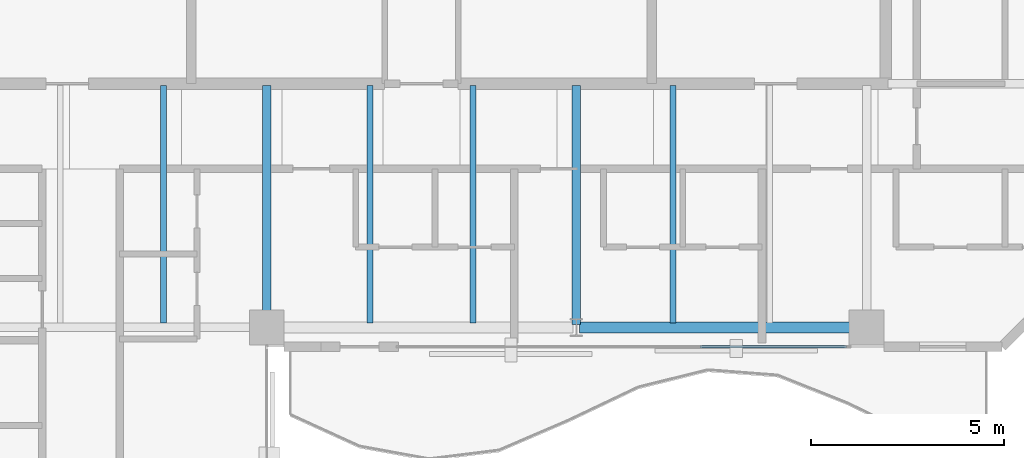
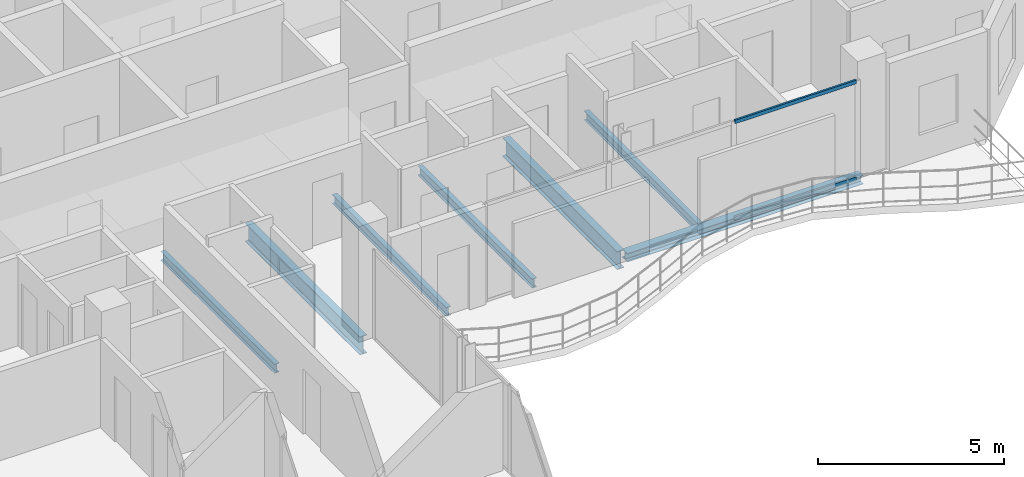
# One storey, part 13 of 24: 7 beams, 2 members, 1 element without a shape of its own.
"""IFC4 building model written with IfcOpenShell, lengths in metres."""

from ifc_helpers import new_model, si_unit, direction, frame, origin, origin_2d, place, context, subcontext, project, spatial, hollow_rectangle, i_section, extrude, material, layer, layer_set, material_profile, profile_set, type_object, element, aggregate, save


model = new_model("IFC4")

# Units and contexts
model_context = context("Model", 3, precision=1e-05, world=origin(), true_north=direction((0.0, 1.0)))
body_context = subcontext(model_context, "Body", "Model", "MODEL_VIEW")
ifc_project = project(units=[si_unit("LENGTHUNIT", "METRE"), si_unit("AREAUNIT", "SQUARE_METRE"), si_unit("VOLUMEUNIT", "CUBIC_METRE"), si_unit("PLANEANGLEUNIT", "RADIAN"), si_unit("MASSUNIT", "GRAM", prefix="KILO")], contexts=[model_context])

# Site, building, storey
site_placement = place(None, origin())
site = spatial("IfcSite", under=ifc_project, at=site_placement, CompositionType="ELEMENT")
building_placement = place(site_placement, origin())
building = spatial("IfcBuilding", under=site, at=building_placement, Name="Catumbela Crestline Tower", CompositionType="ELEMENT")
storey_placement = place(building_placement, frame((0.0, 0.0, 237.4)))
storey = spatial("IfcBuildingStorey", under=building, at=storey_placement, Name="L61", CompositionType="ELEMENT", Elevation=237.4)

# Beams
ifc_material_1 = material(Name="Structural steel S355J2", Category="steel")
ifc_material_profile_1 = material_profile(ifc_material_1, i_section(OverallWidth=0.22, OverallDepth=0.6, WebThickness=0.012, FlangeThickness=0.019, FilletRadius=0.024, at=origin_2d()), Name="IPE 600")
ifc_profile_set_1 = profile_set([ifc_material_profile_1], Name="Structural steel S355J2")
beam_type_1 = type_object("IfcBeamType", Name="BG-IPE600", PredefinedType="BEAM", material=ifc_profile_set_1)
for number, where, z_axis, x_axis, name in (
    (1, (24.0, 24.58, -0.56), (0.0, 1.0, 0.0), (-1.0, 0.0, 0.0), "L61 Beam BM-L61-SNS16"),
    (2, (32.0, 24.58, -0.56), (0.0, 1.0, 0.0), (-1.0, 0.0, 0.0), "L61 Beam BM-L61-SNS17"),
):
    element("IfcBeam", number, at=place(storey_placement, frame(where, z_axis=z_axis, x_axis=x_axis)), inside=storey, type_object=beam_type_1, Name=name, PredefinedType="BEAM", context=body_context, shape_type="SweptSolid", body=[
        extrude(i_section(OverallWidth=0.22, OverallDepth=0.6, WebThickness=0.012, FlangeThickness=0.019, FilletRadius=0.024, at=origin_2d()), origin(), (0.0, 0.0, 1.0), 6.17),
    ])
ifc_material_profile_2 = material_profile(ifc_material_1, i_section(OverallWidth=0.15, OverallDepth=0.3, WebThickness=0.0071, FlangeThickness=0.0107, FilletRadius=0.015, at=origin_2d()), Name="IPE 300")
ifc_profile_set_2 = profile_set([ifc_material_profile_2], Name="Structural steel S355J2")
beam_type_2 = type_object("IfcBeamType", Name="BJ-IPE300", PredefinedType="JOIST", material=ifc_profile_set_2)
for number, where, z_axis, x_axis, name in (
    (3, (21.333, 24.61, -0.41), (0.0, 1.0, 0.0), (-1.0, 0.0, 0.0), "L61 Joist JS-L61-SP22"),
    (4, (26.667, 24.61, -0.41), (0.0, 1.0, 0.0), (-1.0, 0.0, 0.0), "L61 Joist JS-L61-SP23"),
    (5, (29.333, 24.61, -0.41), (0.0, 1.0, 0.0), (-1.0, 0.0, 0.0), "L61 Joist JS-L61-SP24"),
    (6, (34.5, 24.61, -0.41), (0.0, 1.0, 0.0), (-1.0, 0.0, 0.0), "L61 Joist JS-L61-SP25"),
):
    element("IfcBeam", number, at=place(storey_placement, frame(where, z_axis=z_axis, x_axis=x_axis)), inside=storey, type_object=beam_type_2, Name=name, PredefinedType="JOIST", context=body_context, shape_type="SweptSolid", body=[
        extrude(i_section(OverallWidth=0.15, OverallDepth=0.3, WebThickness=0.0071, FlangeThickness=0.0107, FilletRadius=0.015, at=origin_2d()), origin(), (0.0, 0.0, 1.0), 6.14),
    ])
ifc_material_profile_3 = material_profile(ifc_material_1, i_section(OverallWidth=0.28, OverallDepth=0.28, WebThickness=0.0105, FlangeThickness=0.018, FilletRadius=0.024, at=origin_2d()), Name="HEB 280")
ifc_profile_set_3 = profile_set([ifc_material_profile_3], Name="Structural steel S355J2")
beam_type_3 = type_object("IfcBeamType", Name="BS-HEB280", PredefinedType="SPANDREL", material=ifc_profile_set_3)
beam_placement = place(storey_placement, frame((32.08, 24.5, -0.4), z_axis=(1.0, 0.0, 0.0), x_axis=(0.0, 1.0, 0.0)))
element("IfcBeam", 7, at=beam_placement, inside=storey, type_object=beam_type_3, Name="L61 Spandrel SP-L61-S05", PredefinedType="SPANDREL", context=body_context, shape_type="SweptSolid", body=[
    extrude(i_section(OverallWidth=0.28, OverallDepth=0.28, WebThickness=0.0105, FlangeThickness=0.018, FilletRadius=0.024, at=origin_2d()), origin(), (0.0, 0.0, 1.0), 7.34),
])

# Curtain wall, members
ifc_material_2 = material(Name="Aluminium alloy AW-6060-T66", Category="aluminium")
ifc_layer = layer(ifc_material_2, 0.18, Name="Aluminium alloy AW-6060-T66")
ifc_layer_set = layer_set([ifc_layer], Name="Aluminium alloy AW-6060-T66")
curtain_wall_type = type_object("IfcCurtainWallType", Name="CWU-Z4", PredefinedType="USERDEFINED", material=ifc_layer_set)
curtain_wall_placement = place(storey_placement, origin())
curtain_wall = element("IfcCurtainWall", 8, at=curtain_wall_placement, inside=storey, type_object=curtain_wall_type, Name="L61 Unitised Curtain Wall CW-L61-E3S2", ObjectType="UNITISED", PredefinedType="USERDEFINED")
ifc_material_profile_4 = material_profile(ifc_material_2, hollow_rectangle(XDim=0.06, YDim=0.12, WallThickness=0.0035, at=origin_2d()), Name="ALU 120x60x3.5")
ifc_profile_set_4 = profile_set([ifc_material_profile_4], Name="Aluminium alloy AW-6060-T66")
member_type = type_object("IfcMemberType", Name="TRN-120X60", PredefinedType="USERDEFINED", material=ifc_profile_set_4)
member_1_placement = place(storey_placement, frame((35.1992, 24.0, 0.03), z_axis=(1.0, 0.0, 0.0), x_axis=(0.0, 1.0, 0.0)))
member_1 = element("IfcMember", 9, at=member_1_placement, type_object=member_type, Name="CWU-Z4 transom 3.1", ObjectType="TRANSOM", PredefinedType="USERDEFINED", context=body_context, shape_type="SweptSolid", body=[
    extrude(hollow_rectangle(XDim=0.06, YDim=0.12, WallThickness=0.0035, at=origin_2d()), origin(), (0.0, 0.0, 1.0), 3.7858),
])
member_2_placement = place(storey_placement, frame((35.1992, 24.0, 3.21), z_axis=(1.0, 0.0, 0.0), x_axis=(0.0, 1.0, 0.0)))
member_2 = element("IfcMember", 10, at=member_2_placement, type_object=member_type, Name="CWU-Z4 transom 3.2", ObjectType="TRANSOM", PredefinedType="USERDEFINED", context=body_context, shape_type="SweptSolid", body=[
    extrude(hollow_rectangle(XDim=0.06, YDim=0.12, WallThickness=0.0035, at=origin_2d()), origin(), (0.0, 0.0, 1.0), 3.7858),
])
aggregate(curtain_wall, [member_1, member_2])

save(model, "model.ifc")
